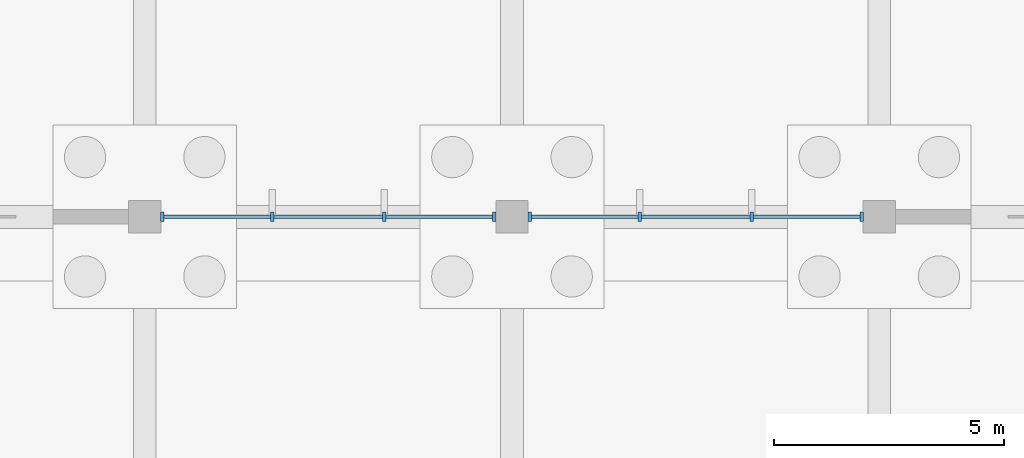
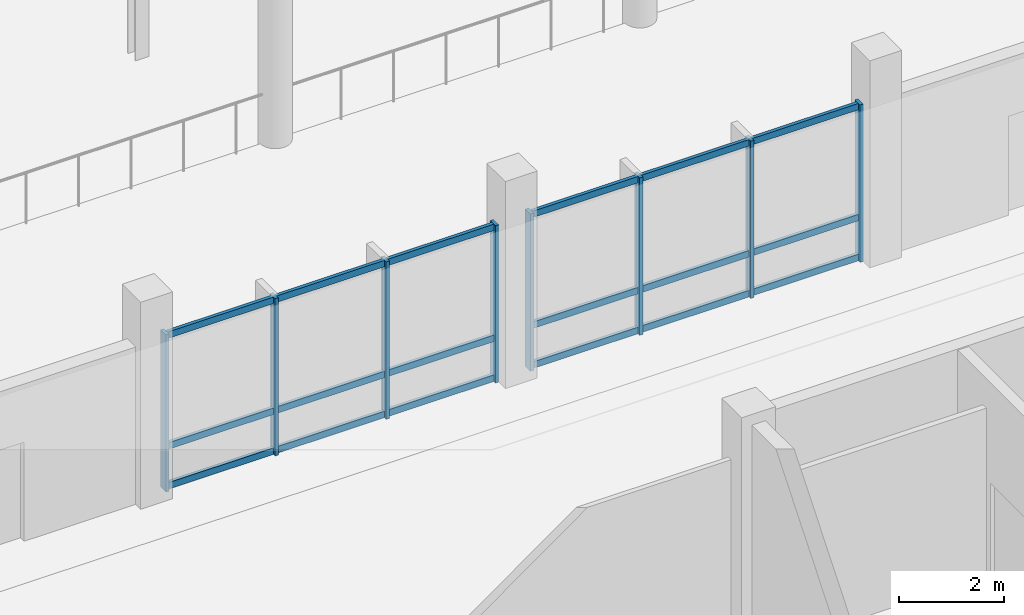
# One storey, part 28 of 72: 26 members, 2 elements without a shape of their own.
"""IFC4 building model written with IfcOpenShell, lengths in metres."""

from ifc_helpers import new_model, si_unit, direction, frame, origin, origin_2d, place, context, subcontext, project, spatial, rectangle, extrude, material, material_profile, profile_set, type_object, element, aggregate, save


model = new_model("IFC4")

# Units and contexts
model_context = context("Model", 3, precision=1e-05, world=origin(), true_north=direction((0.0, 1.0)))
body_context = subcontext(model_context, "Body", "Model", "MODEL_VIEW")
ifc_project = project(units=[si_unit("LENGTHUNIT", "METRE"), si_unit("AREAUNIT", "SQUARE_METRE"), si_unit("VOLUMEUNIT", "CUBIC_METRE"), si_unit("PLANEANGLEUNIT", "RADIAN"), si_unit("MASSUNIT", "GRAM", prefix="KILO"), si_unit("THERMODYNAMICTEMPERATUREUNIT", "KELVIN"), si_unit("POWERUNIT", "WATT")], contexts=[model_context])

# Site, building, storey
site_placement = place(None, origin())
site = spatial("IfcSite", under=ifc_project, at=site_placement, CompositionType="ELEMENT")
building_placement = place(site_placement, origin())
building = spatial("IfcBuilding", under=site, at=building_placement, Name="Kronsvod Quay Wholesale Market", CompositionType="ELEMENT")
storey_placement = place(building_placement, origin())
storey = spatial("IfcBuildingStorey", under=building, at=storey_placement, Name="L00", CompositionType="ELEMENT", Elevation=0.0)

# Curtain wall, members
ifc_material_1 = material(Name="Thermally broken aluminium and triple low-E glazing", Category="aluminium")
curtain_wall_type = type_object("IfcCurtainWallType", Name="CW_Colonnade80x39", PredefinedType="NOTDEFINED", material=ifc_material_1)
curtain_wall_1_placement = place(storey_placement, origin())
curtain_wall_1 = element("IfcCurtainWall", 1, at=curtain_wall_1_placement, inside=storey, type_object=curtain_wall_type, Name="CWGX-L00-960-1170", PredefinedType="NOTDEFINED")
ifc_material_2 = material(Name="Anodised aluminium", Category="aluminium")
ifc_material_profile_1 = material_profile(ifc_material_2, rectangle(XDim=0.074951171875, YDim=0.199951171875, at=origin_2d()), Name="ALUM75x200")
ifc_profile_set_1 = profile_set([ifc_material_profile_1], Name="Anodised aluminium")
member_type_1 = type_object("IfcMemberType", Name="Mullion_ALU75x200", PredefinedType="MULLION", material=ifc_profile_set_1)
member_1_placement = place(storey_placement, frame((103.617431640625, 117.0, 0.0), z_axis=(0.0, 0.0, 1.0), x_axis=(1.0, 0.0, 0.0)))
member_1 = element("IfcMember", 2, at=member_1_placement, type_object=member_type_1, Name="CWGX-L00-960-1170-M1", PredefinedType="MULLION", context=body_context, shape_type="SweptSolid", body=[
    extrude(rectangle(XDim=0.074951171875, YDim=0.199951171875, at=origin_2d()), origin(), (0.0, 0.0, 1.0), 3.64990234375),
])
member_2_placement = place(storey_placement, frame((101.21826171875, 117.0, 0.0), z_axis=(0.0, 0.0, 1.0), x_axis=(1.0, 0.0, 0.0)))
member_2 = element("IfcMember", 3, at=member_2_placement, type_object=member_type_1, Name="CWGX-L00-960-1170-M2", PredefinedType="MULLION", context=body_context, shape_type="SweptSolid", body=[
    extrude(rectangle(XDim=0.074951171875, YDim=0.199951171875, at=origin_2d()), origin(), (0.0, 0.0, 1.0), 3.64990234375),
])
member_3_placement = place(storey_placement, frame((98.78173828125, 117.0, 0.0), z_axis=(0.0, 0.0, 1.0), x_axis=(1.0, 0.0, 0.0)))
member_3 = element("IfcMember", 4, at=member_3_placement, type_object=member_type_1, Name="CWGX-L00-960-1170-M3", PredefinedType="MULLION", context=body_context, shape_type="SweptSolid", body=[
    extrude(rectangle(XDim=0.074951171875, YDim=0.199951171875, at=origin_2d()), origin(), (0.0, 0.0, 1.0), 3.64990234375),
])
member_4_placement = place(storey_placement, frame((96.382568359375, 117.0, 0.0), z_axis=(0.0, 0.0, 1.0), x_axis=(1.0, 0.0, 0.0)))
member_4 = element("IfcMember", 5, at=member_4_placement, type_object=member_type_1, Name="CWGX-L00-960-1170-M4", PredefinedType="MULLION", context=body_context, shape_type="SweptSolid", body=[
    extrude(rectangle(XDim=0.074951171875, YDim=0.199951171875, at=origin_2d()), origin(), (0.0, 0.0, 1.0), 3.64990234375),
])

curtain_wall_2_placement = place(storey_placement, origin())
curtain_wall_2 = element("IfcCurtainWall", 6, at=curtain_wall_2_placement, inside=storey, type_object=curtain_wall_type, Name="CWGX-L00-1040-1170", PredefinedType="NOTDEFINED")
member_5_placement = place(storey_placement, frame((111.617431640625, 117.0, 0.0), z_axis=(0.0, 0.0, 1.0), x_axis=(1.0, 0.0, 0.0)))
member_5 = element("IfcMember", 7, at=member_5_placement, type_object=member_type_1, Name="CWGX-L00-1040-1170-M1", PredefinedType="MULLION", context=body_context, shape_type="SweptSolid", body=[
    extrude(rectangle(XDim=0.074951171875, YDim=0.199951171875, at=origin_2d()), origin(), (0.0, 0.0, 1.0), 3.64990234375),
])
member_6_placement = place(storey_placement, frame((109.21826171875, 117.0, 0.0), z_axis=(0.0, 0.0, 1.0), x_axis=(1.0, 0.0, 0.0)))
member_6 = element("IfcMember", 8, at=member_6_placement, type_object=member_type_1, Name="CWGX-L00-1040-1170-M2", PredefinedType="MULLION", context=body_context, shape_type="SweptSolid", body=[
    extrude(rectangle(XDim=0.074951171875, YDim=0.199951171875, at=origin_2d()), origin(), (0.0, 0.0, 1.0), 3.64990234375),
])
member_7_placement = place(storey_placement, frame((106.78173828125, 117.0, 0.0), z_axis=(0.0, 0.0, 1.0), x_axis=(1.0, 0.0, 0.0)))
member_7 = element("IfcMember", 9, at=member_7_placement, type_object=member_type_1, Name="CWGX-L00-1040-1170-M3", PredefinedType="MULLION", context=body_context, shape_type="SweptSolid", body=[
    extrude(rectangle(XDim=0.074951171875, YDim=0.199951171875, at=origin_2d()), origin(), (0.0, 0.0, 1.0), 3.64990234375),
])
member_8_placement = place(storey_placement, frame((104.382568359375, 117.0, 0.0), z_axis=(0.0, 0.0, 1.0), x_axis=(1.0, 0.0, 0.0)))
member_8 = element("IfcMember", 10, at=member_8_placement, type_object=member_type_1, Name="CWGX-L00-1040-1170-M4", PredefinedType="MULLION", context=body_context, shape_type="SweptSolid", body=[
    extrude(rectangle(XDim=0.074951171875, YDim=0.199951171875, at=origin_2d()), origin(), (0.0, 0.0, 1.0), 3.64990234375),
])

# Member
ifc_material_3 = material(Name="Anodised aluminium", Category="aluminium")
ifc_material_profile_2 = material_profile(ifc_material_3, rectangle(XDim=0.074951171875, YDim=0.14990234375, at=origin_2d()), Name="ALUT75x150")
ifc_profile_set_2 = profile_set([ifc_material_profile_2], Name="Anodised aluminium")
member_type_2 = type_object("IfcMemberType", Name="Transom_ALU75x150", PredefinedType="USERDEFINED", material=ifc_profile_set_2)
member_9_placement = place(storey_placement, frame((103.580078125, 117.0, 0.074951171875), z_axis=(-1.0, 0.0, 0.0), x_axis=(0.0, -1.0, 0.0)))
member_9 = element("IfcMember", 11, at=member_9_placement, type_object=member_type_2, Name="CWGX-L00-960-1170-T1B1", ObjectType="TRANSOM", PredefinedType="USERDEFINED", context=body_context, shape_type="SweptSolid", body=[
    extrude(rectangle(XDim=0.074951171875, YDim=0.14990234375, at=origin_2d()), origin(), (0.0, 0.0, 1.0), 2.32421875),
])

member_10_placement = place(storey_placement, frame((101.180908203125, 117.0, 0.074951171875), z_axis=(-1.0, 0.0, 0.0), x_axis=(0.0, -1.0, 0.0)))
member_10 = element("IfcMember", 12, at=member_10_placement, type_object=member_type_2, Name="CWGX-L00-960-1170-T1B2", ObjectType="TRANSOM", PredefinedType="USERDEFINED", context=body_context, shape_type="SweptSolid", body=[
    extrude(rectangle(XDim=0.074951171875, YDim=0.14990234375, at=origin_2d()), origin(), (0.0, 0.0, 1.0), 2.36181640625),
])

member_11_placement = place(storey_placement, frame((98.744140625, 117.0, 0.074951171875), z_axis=(-1.0, 0.0, 0.0), x_axis=(0.0, -1.0, 0.0)))
member_11 = element("IfcMember", 13, at=member_11_placement, type_object=member_type_2, Name="CWGX-L00-960-1170-T1B3", ObjectType="TRANSOM", PredefinedType="USERDEFINED", context=body_context, shape_type="SweptSolid", body=[
    extrude(rectangle(XDim=0.074951171875, YDim=0.14990234375, at=origin_2d()), origin(), (0.0, 0.0, 1.0), 2.32421875),
])

member_12_placement = place(storey_placement, frame((103.580078125, 117.0, 1.0), z_axis=(-1.0, 0.0, 0.0), x_axis=(0.0, -1.0, 0.0)))
member_12 = element("IfcMember", 14, at=member_12_placement, type_object=member_type_2, Name="CWGX-L00-960-1170-T2B1", ObjectType="TRANSOM", PredefinedType="USERDEFINED", context=body_context, shape_type="SweptSolid", body=[
    extrude(rectangle(XDim=0.074951171875, YDim=0.14990234375, at=origin_2d()), origin(), (0.0, 0.0, 1.0), 2.32421875),
])

member_13_placement = place(storey_placement, frame((101.180908203125, 117.0, 1.0), z_axis=(-1.0, 0.0, 0.0), x_axis=(0.0, -1.0, 0.0)))
member_13 = element("IfcMember", 15, at=member_13_placement, type_object=member_type_2, Name="CWGX-L00-960-1170-T2B2", ObjectType="TRANSOM", PredefinedType="USERDEFINED", context=body_context, shape_type="SweptSolid", body=[
    extrude(rectangle(XDim=0.074951171875, YDim=0.14990234375, at=origin_2d()), origin(), (0.0, 0.0, 1.0), 2.36181640625),
])

member_14_placement = place(storey_placement, frame((98.744140625, 117.0, 1.0), z_axis=(-1.0, 0.0, 0.0), x_axis=(0.0, -1.0, 0.0)))
member_14 = element("IfcMember", 16, at=member_14_placement, type_object=member_type_2, Name="CWGX-L00-960-1170-T2B3", ObjectType="TRANSOM", PredefinedType="USERDEFINED", context=body_context, shape_type="SweptSolid", body=[
    extrude(rectangle(XDim=0.074951171875, YDim=0.14990234375, at=origin_2d()), origin(), (0.0, 0.0, 1.0), 2.32421875),
])

member_15_placement = place(storey_placement, frame((103.580078125, 117.0, 3.574951171875), z_axis=(-1.0, 0.0, 0.0), x_axis=(0.0, -1.0, 0.0)))
member_15 = element("IfcMember", 17, at=member_15_placement, type_object=member_type_2, Name="CWGX-L00-960-1170-T3B1", ObjectType="TRANSOM", PredefinedType="USERDEFINED", context=body_context, shape_type="SweptSolid", body=[
    extrude(rectangle(XDim=0.074951171875, YDim=0.14990234375, at=origin_2d()), origin(), (0.0, 0.0, 1.0), 2.32421875),
])

member_16_placement = place(storey_placement, frame((101.180908203125, 117.0, 3.574951171875), z_axis=(-1.0, 0.0, 0.0), x_axis=(0.0, -1.0, 0.0)))
member_16 = element("IfcMember", 18, at=member_16_placement, type_object=member_type_2, Name="CWGX-L00-960-1170-T3B2", ObjectType="TRANSOM", PredefinedType="USERDEFINED", context=body_context, shape_type="SweptSolid", body=[
    extrude(rectangle(XDim=0.074951171875, YDim=0.14990234375, at=origin_2d()), origin(), (0.0, 0.0, 1.0), 2.36181640625),
])

member_17_placement = place(storey_placement, frame((98.744140625, 117.0, 3.574951171875), z_axis=(-1.0, 0.0, 0.0), x_axis=(0.0, -1.0, 0.0)))
member_17 = element("IfcMember", 19, at=member_17_placement, type_object=member_type_2, Name="CWGX-L00-960-1170-T3B3", ObjectType="TRANSOM", PredefinedType="USERDEFINED", context=body_context, shape_type="SweptSolid", body=[
    extrude(rectangle(XDim=0.074951171875, YDim=0.14990234375, at=origin_2d()), origin(), (0.0, 0.0, 1.0), 2.32421875),
])

aggregate(curtain_wall_1, [member_1, member_2, member_3, member_4, member_9, member_10, member_11, member_12, member_13, member_14, member_15, member_16, member_17])

member_18_placement = place(storey_placement, frame((111.580078125, 117.0, 0.074951171875), z_axis=(-1.0, 0.0, 0.0), x_axis=(0.0, -1.0, 0.0)))
member_18 = element("IfcMember", 20, at=member_18_placement, type_object=member_type_2, Name="CWGX-L00-1040-1170-T1B1", ObjectType="TRANSOM", PredefinedType="USERDEFINED", context=body_context, shape_type="SweptSolid", body=[
    extrude(rectangle(XDim=0.074951171875, YDim=0.14990234375, at=origin_2d()), origin(), (0.0, 0.0, 1.0), 2.32421875),
])

member_19_placement = place(storey_placement, frame((109.180908203125, 117.0, 0.074951171875), z_axis=(-1.0, 0.0, 0.0), x_axis=(0.0, -1.0, 0.0)))
member_19 = element("IfcMember", 21, at=member_19_placement, type_object=member_type_2, Name="CWGX-L00-1040-1170-T1B2", ObjectType="TRANSOM", PredefinedType="USERDEFINED", context=body_context, shape_type="SweptSolid", body=[
    extrude(rectangle(XDim=0.074951171875, YDim=0.14990234375, at=origin_2d()), origin(), (0.0, 0.0, 1.0), 2.36181640625),
])

member_20_placement = place(storey_placement, frame((106.744140625, 117.0, 0.074951171875), z_axis=(-1.0, 0.0, 0.0), x_axis=(0.0, -1.0, 0.0)))
member_20 = element("IfcMember", 22, at=member_20_placement, type_object=member_type_2, Name="CWGX-L00-1040-1170-T1B3", ObjectType="TRANSOM", PredefinedType="USERDEFINED", context=body_context, shape_type="SweptSolid", body=[
    extrude(rectangle(XDim=0.074951171875, YDim=0.14990234375, at=origin_2d()), origin(), (0.0, 0.0, 1.0), 2.32421875),
])

member_21_placement = place(storey_placement, frame((111.580078125, 117.0, 1.0), z_axis=(-1.0, 0.0, 0.0), x_axis=(0.0, -1.0, 0.0)))
member_21 = element("IfcMember", 23, at=member_21_placement, type_object=member_type_2, Name="CWGX-L00-1040-1170-T2B1", ObjectType="TRANSOM", PredefinedType="USERDEFINED", context=body_context, shape_type="SweptSolid", body=[
    extrude(rectangle(XDim=0.074951171875, YDim=0.14990234375, at=origin_2d()), origin(), (0.0, 0.0, 1.0), 2.32421875),
])

member_22_placement = place(storey_placement, frame((109.180908203125, 117.0, 1.0), z_axis=(-1.0, 0.0, 0.0), x_axis=(0.0, -1.0, 0.0)))
member_22 = element("IfcMember", 24, at=member_22_placement, type_object=member_type_2, Name="CWGX-L00-1040-1170-T2B2", ObjectType="TRANSOM", PredefinedType="USERDEFINED", context=body_context, shape_type="SweptSolid", body=[
    extrude(rectangle(XDim=0.074951171875, YDim=0.14990234375, at=origin_2d()), origin(), (0.0, 0.0, 1.0), 2.36181640625),
])

member_23_placement = place(storey_placement, frame((106.744140625, 117.0, 1.0), z_axis=(-1.0, 0.0, 0.0), x_axis=(0.0, -1.0, 0.0)))
member_23 = element("IfcMember", 25, at=member_23_placement, type_object=member_type_2, Name="CWGX-L00-1040-1170-T2B3", ObjectType="TRANSOM", PredefinedType="USERDEFINED", context=body_context, shape_type="SweptSolid", body=[
    extrude(rectangle(XDim=0.074951171875, YDim=0.14990234375, at=origin_2d()), origin(), (0.0, 0.0, 1.0), 2.32421875),
])

member_24_placement = place(storey_placement, frame((111.580078125, 117.0, 3.574951171875), z_axis=(-1.0, 0.0, 0.0), x_axis=(0.0, -1.0, 0.0)))
member_24 = element("IfcMember", 26, at=member_24_placement, type_object=member_type_2, Name="CWGX-L00-1040-1170-T3B1", ObjectType="TRANSOM", PredefinedType="USERDEFINED", context=body_context, shape_type="SweptSolid", body=[
    extrude(rectangle(XDim=0.074951171875, YDim=0.14990234375, at=origin_2d()), origin(), (0.0, 0.0, 1.0), 2.32421875),
])

member_25_placement = place(storey_placement, frame((109.180908203125, 117.0, 3.574951171875), z_axis=(-1.0, 0.0, 0.0), x_axis=(0.0, -1.0, 0.0)))
member_25 = element("IfcMember", 27, at=member_25_placement, type_object=member_type_2, Name="CWGX-L00-1040-1170-T3B2", ObjectType="TRANSOM", PredefinedType="USERDEFINED", context=body_context, shape_type="SweptSolid", body=[
    extrude(rectangle(XDim=0.074951171875, YDim=0.14990234375, at=origin_2d()), origin(), (0.0, 0.0, 1.0), 2.36181640625),
])

member_26_placement = place(storey_placement, frame((106.744140625, 117.0, 3.574951171875), z_axis=(-1.0, 0.0, 0.0), x_axis=(0.0, -1.0, 0.0)))
member_26 = element("IfcMember", 28, at=member_26_placement, type_object=member_type_2, Name="CWGX-L00-1040-1170-T3B3", ObjectType="TRANSOM", PredefinedType="USERDEFINED", context=body_context, shape_type="SweptSolid", body=[
    extrude(rectangle(XDim=0.074951171875, YDim=0.14990234375, at=origin_2d()), origin(), (0.0, 0.0, 1.0), 2.32421875),
])

aggregate(curtain_wall_2, [member_5, member_6, member_7, member_8, member_18, member_19, member_20, member_21, member_22, member_23, member_24, member_25, member_26])

save(model, "model.ifc")
